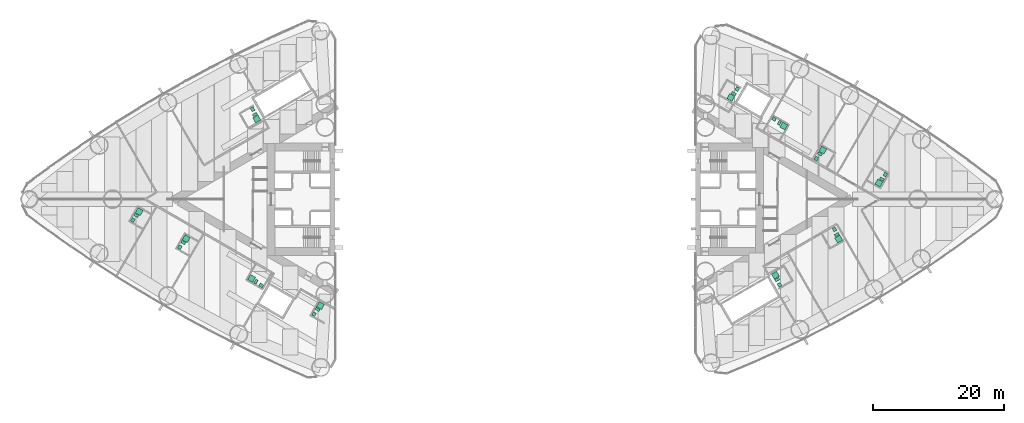
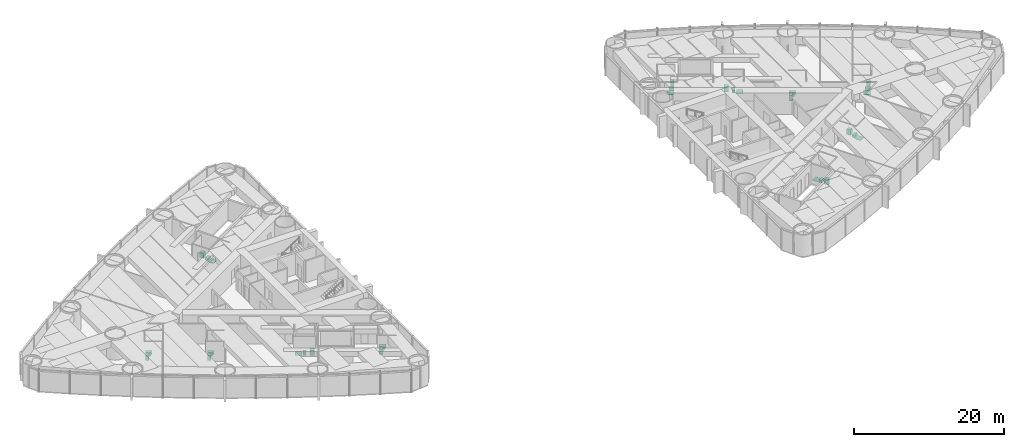
# One storey, part 19 of 19: 15 sanitary terminals.
"""IFC4 building model written with IfcOpenShell, lengths in metres."""

import ifcopenshell
import ifcopenshell.guid

model = None  # the IFC model being written
_history = None  # IfcOwnerHistory: only IFC2X3 demands one
_inside = {}  # id of a spatial element -> (the spatial element, [elements in it])
_under = {}  # id of a project, library or spatial element -> (it, [spatial elements below it])
_declared = {}  # id of a project -> (the project, [libraries it declares])
_typed = {}  # id of a type object -> (the type object, [elements of that type])
_made_of = {}  # id of a material, layer set ... -> (it, [elements and type objects made of it])


def new_model(schema):
    """Start an empty IFC model of exactly this schema.

    Asked for "IFC4X3", IfcOpenShell would pick the latest addendum, in which some entities
    have other attributes; the version numbers below select the first issue.
    IFC2X3 requires an IfcOwnerHistory on every rooted entity: one is made here for all.
    """
    global model, _history
    if schema == "IFC4X3":
        model = ifcopenshell.file(schema_version=(4, 3, 0, 0))
    else:
        model = ifcopenshell.file(schema=schema)
    _inside.clear()
    _under.clear()
    _declared.clear()
    _typed.clear()
    _made_of.clear()
    _history = None
    if model.schema == "IFC2X3":
        org = make("IfcOrganization", Name="unknown")
        user = make(
            "IfcPersonAndOrganization",
            ThePerson=make("IfcPerson", FamilyName="unknown"),
            TheOrganization=org,
        )
        app = make(
            "IfcApplication",
            ApplicationDeveloper=org,
            Version="unknown",
            ApplicationFullName="unknown",
            ApplicationIdentifier="unknown",
        )
        _history = make(
            "IfcOwnerHistory",
            OwningUser=user,
            OwningApplication=app,
            ChangeAction="ADDED",
            CreationDate=0,
        )
    return model


def make(cls, **values):
    """One entity of the class cls with the attributes given. An attribute that is None is left unset."""
    return model.create_entity(
        cls, **{name: value for name, value in values.items() if value is not None}
    )


def rooted(cls, **values):
    """An entity with a GlobalId (a new one), such as an element, a storey or a relation."""
    return make(cls, GlobalId=ifcopenshell.guid.new(), OwnerHistory=_history, **values)


def si_unit(unit_type, name, prefix=None):
    """IfcSIUnit, for example si_unit("LENGTHUNIT", "METRE", prefix="MILLI")."""
    return make("IfcSIUnit", UnitType=unit_type, Prefix=prefix, Name=name)


def assignment(units):
    """IfcUnitAssignment: the units of a project."""
    return None if units is None else make("IfcUnitAssignment", Units=units)


def point(xyz):
    """IfcCartesianPoint."""
    return None if xyz is None else make("IfcCartesianPoint", Coordinates=xyz)


def direction(xyz):
    """IfcDirection."""
    return None if xyz is None else make("IfcDirection", DirectionRatios=xyz)


def frame(location, z_axis=None, x_axis=None):
    """IfcAxis2Placement3D, a coordinate frame: its origin and axes. An axis left out is left unset."""
    return make(
        "IfcAxis2Placement3D",
        Location=point(location),
        Axis=direction(z_axis),
        RefDirection=direction(x_axis),
    )


def frame_2d(location, x_axis=None):
    """IfcAxis2Placement2D, a coordinate frame in the plane: its origin and x axis."""
    return make(
        "IfcAxis2Placement2D", Location=point(location), RefDirection=direction(x_axis)
    )


def origin():
    """The frame at (0, 0, 0) with its axes left unset."""
    return frame((0.0, 0.0, 0.0))


def origin_2d():
    """The frame at (0, 0) in the plane with its x axis left unset."""
    return frame_2d((0.0, 0.0))


def place(relative_to, where):
    """IfcLocalPlacement: puts the frame where relative to a parent placement (None: the world)."""
    return make(
        "IfcLocalPlacement", PlacementRelTo=relative_to, RelativePlacement=where
    )


def context(
    kind, dimensions, precision=None, world=None, true_north=None, identifier=None
):
    """IfcGeometricRepresentationContext, for example the 3D "Model" context."""
    return make(
        "IfcGeometricRepresentationContext",
        ContextIdentifier=identifier,
        ContextType=kind,
        CoordinateSpaceDimension=dimensions,
        Precision=precision,
        WorldCoordinateSystem=world,
        TrueNorth=true_north,
    )


def subcontext(parent, identifier, kind, view, scale=None):
    """IfcGeometricRepresentationSubContext, for example "Body" below "Model"."""
    return make(
        "IfcGeometricRepresentationSubContext",
        ContextIdentifier=identifier,
        ContextType=kind,
        ParentContext=parent,
        TargetScale=scale,
        TargetView=view,
    )


def project(units=None, contexts=None):
    """IfcProject with its units and contexts."""
    return rooted(
        "IfcProject",
        Name="project",
        RepresentationContexts=contexts,
        UnitsInContext=assignment(units),
    )


def spatial(cls, under=None, at=None, **own):
    """A site, building, storey or space (cls), placed at a placement, below another one or the project."""
    s = rooted(cls, ObjectPlacement=at, **own)
    if under is not None:
        _under.setdefault(under.id(), (under, []))[1].append(s)
    return s


def profile(cls, at=None, kind="AREA", **sizes):
    """A parametric profile (cls). Its sizes go by their IFC names, for example OverallWidth=200.0."""
    return make(cls, ProfileType=kind, Position=at, **sizes)


def rectangle(**sizes):
    """IfcRectangleProfileDef."""
    return profile("IfcRectangleProfileDef", **sizes)


def extrude(swept, where, along, depth):
    """IfcExtrudedAreaSolid: the profile swept, set in the frame where, extruded along a direction by depth."""
    return make(
        "IfcExtrudedAreaSolid",
        SweptArea=swept,
        Position=where,
        ExtrudedDirection=direction(along),
        Depth=depth,
    )


def shape(context_of_items, identifier, shape_type, items):
    """IfcShapeRepresentation: the items that make up one representation, for example the "Body"."""
    return make(
        "IfcShapeRepresentation",
        ContextOfItems=context_of_items,
        RepresentationIdentifier=identifier,
        RepresentationType=shape_type,
        Items=items,
    )


def material(Name=None, Category=None):
    """IfcMaterial."""
    return make("IfcMaterial", Name=Name, Category=Category)


def made_of(thing, what):
    """Note that an element or type object is made of a material, layer set ...; save() writes the relation."""
    if what is not None:
        _made_of.setdefault(what.id(), (what, []))[1].append(thing)
    return thing


def type_object(cls, material=None, **own):
    """A type object (cls), such as IfcWallType, which elements share."""
    return made_of(rooted(cls, **own), material)


def element(
    cls,
    number,
    at=None,
    inside=None,
    cuts=None,
    type_object=None,
    material=None,
    context=None,
    identifier="Body",
    shape_type=None,
    held_by="IfcProductDefinitionShape",
    body=None,
    shapes=None,
    **own,
):
    """One element of the class cls, such as IfcWall. Its Tag is "e" and its number.

    at: its placement. inside: the storey or other place that contains it. cuts: it is an
    opening in that element (IfcRelVoidsElement). A single representation is given by context,
    identifier, shape_type and body (its items); several are given by shapes. held_by: the class
    of the entity that holds the representations. save() writes the other relations.
    """
    e = rooted(cls, Tag="e%d" % number, ObjectPlacement=at, **own)
    if body is not None:
        shapes = [shape(context, identifier, shape_type, body)]
    if shapes is not None:
        e.Representation = make(held_by, Representations=shapes)
    if inside is not None:
        _inside.setdefault(inside.id(), (inside, []))[1].append(e)
    if cuts is not None:
        rooted(
            "IfcRelVoidsElement", RelatingBuildingElement=cuts, RelatedOpeningElement=e
        )
    if type_object is not None:
        _typed.setdefault(type_object.id(), (type_object, []))[1].append(e)
    return made_of(e, material)


def aggregate(whole, parts):
    """IfcRelAggregates: a whole, such as a stair, and the parts it consists of."""
    return rooted("IfcRelAggregates", RelatingObject=whole, RelatedObjects=parts)


def save(model, path):
    """Write the relations noted so far, then the file.

    IfcRelAggregates (storeys below a building ...), IfcRelContainedInSpatialStructure (elements
    in a storey), IfcRelDefinesByType, IfcRelAssociatesMaterial and IfcRelDeclares: one each for
    every whole, place, type object, material and project.
    """
    for whole, parts in _under.values():
        aggregate(whole, parts)
    for where, things in _inside.values():
        rooted(
            "IfcRelContainedInSpatialStructure",
            RelatedElements=things,
            RelatingStructure=where,
        )
    for kind, things in _typed.values():
        rooted("IfcRelDefinesByType", RelatedObjects=things, RelatingType=kind)
    for what, things in _made_of.values():
        rooted("IfcRelAssociatesMaterial", RelatedObjects=things, RelatingMaterial=what)
    for by, libraries in _declared.values():
        rooted("IfcRelDeclares", RelatingContext=by, RelatedDefinitions=libraries)
    model.write(path)


model = new_model("IFC4")

# Units and contexts
model_context = context("Model", 3, precision=1e-05, world=origin(), true_north=direction((0.0, 1.0)))
body_context = subcontext(model_context, "Body", "Model", "MODEL_VIEW")
ifc_project = project(units=[si_unit("LENGTHUNIT", "METRE"), si_unit("AREAUNIT", "SQUARE_METRE"), si_unit("VOLUMEUNIT", "CUBIC_METRE"), si_unit("PLANEANGLEUNIT", "RADIAN"), si_unit("MASSUNIT", "GRAM", prefix="KILO")], contexts=[model_context])

# Site, building, storey
site_placement = place(None, origin())
site = spatial("IfcSite", under=ifc_project, at=site_placement, CompositionType="ELEMENT")
building_placement = place(site_placement, origin())
building = spatial("IfcBuilding", under=site, at=building_placement, Name="Lancet Gate Hotel", CompositionType="ELEMENT")
storey_placement = place(building_placement, frame((0.0, 0.0, 70.5)))
storey = spatial("IfcBuildingStorey", under=building, at=storey_placement, Name="L18", CompositionType="ELEMENT", Elevation=70.5)

# Sanitary terminals
ifc_material_1 = material(Name="Vitreous china sanitary ware")
sanitary_terminal_type_1 = type_object("IfcSanitaryTerminalType", Name="En-suite sanitary set (shower, WC, basin)", PredefinedType="USERDEFINED", material=ifc_material_1)
sanitary_terminal_1_placement = place(storey_placement, frame((-57.430908203125, -1.89208984375, 0.0), z_axis=(0.0, 0.0, 1.0), x_axis=(1.0, 0.0, 0.0)))
element("IfcSanitaryTerminal", 1, at=sanitary_terminal_1_placement, inside=storey, type_object=sanitary_terminal_type_1, Name="En-suite sanitary set (shower, WC, basin) 1805", ObjectType="EN-SUITE SANITARY SET", PredefinedType="USERDEFINED", context=body_context, shape_type="SweptSolid", body=[
    extrude(rectangle(XDim=0.89990234375, YDim=0.89990234375, at=origin_2d()), frame((0.0, 0.0, 0.0), z_axis=(0.0, 0.0, 1.0), x_axis=(0.5, 0.866025403784, 0.0)), (0.0, 0.0, 1.0), 0.050048828125),
    extrude(rectangle(XDim=0.39990234375, YDim=0.699951171875, at=origin_2d()), frame((-0.451416015625, -0.582275390625, 0.0), z_axis=(0.0, 0.0, 1.0), x_axis=(0.5, 0.866025403784, 0.0)), (0.0, 0.0, 1.0), 0.39990234375),
    extrude(rectangle(XDim=0.60009765625, YDim=0.5, at=origin_2d()), frame((-0.97802734375, -1.29443359375, 0.0), z_axis=(0.0, 0.0, 1.0), x_axis=(0.5, 0.866025403784, 0.0)), (0.0, 0.0, 1.0), 0.85009765625),
])
sanitary_terminal_2_placement = place(storey_placement, frame((-50.26171875, -6.031494140625, 0.0), z_axis=(0.0, 0.0, 1.0), x_axis=(1.0, 0.0, 0.0)))
element("IfcSanitaryTerminal", 2, at=sanitary_terminal_2_placement, inside=storey, type_object=sanitary_terminal_type_1, Name="En-suite sanitary set (shower, WC, basin) 1806", ObjectType="EN-SUITE SANITARY SET", PredefinedType="USERDEFINED", context=body_context, shape_type="SweptSolid", body=[
    extrude(rectangle(XDim=0.89990234375, YDim=0.89990234375, at=origin_2d()), frame((0.0, 0.0, 0.0), z_axis=(0.0, 0.0, 1.0), x_axis=(0.5, 0.866025403784, 0.0)), (0.0, 0.0, 1.0), 0.050048828125),
    extrude(rectangle(XDim=0.39990234375, YDim=0.699951171875, at=origin_2d()), frame((-0.451416015625, -0.58203125, 0.0), z_axis=(0.0, 0.0, 1.0), x_axis=(0.5, 0.866025403784, 0.0)), (0.0, 0.0, 1.0), 0.39990234375),
    extrude(rectangle(XDim=0.60009765625, YDim=0.5, at=origin_2d()), frame((-0.97802734375, -1.294189453125, 0.0), z_axis=(0.0, 0.0, 1.0), x_axis=(0.5, 0.866025403784, 0.0)), (0.0, 0.0, 1.0), 0.85009765625),
])
sanitary_terminal_3_placement = place(storey_placement, frame((-39.488525390625, 12.251220703125, 0.0), z_axis=(0.0, 0.0, 1.0), x_axis=(1.0, 0.0, 0.0)))
element("IfcSanitaryTerminal", 3, at=sanitary_terminal_3_placement, inside=storey, type_object=sanitary_terminal_type_1, Name="En-suite sanitary set (shower, WC, basin) 1802", ObjectType="EN-SUITE SANITARY SET", PredefinedType="USERDEFINED", context=body_context, shape_type="SweptSolid", body=[
    extrude(rectangle(XDim=0.89990234375, YDim=0.89990234375, at=origin_2d()), frame((0.0, 0.0, 0.0), z_axis=(0.0, 0.0, 1.0), x_axis=(0.5, -0.866025403784, 0.0)), (0.0, 0.0, 1.0), 0.050048828125),
    extrude(rectangle(XDim=0.39990234375, YDim=0.699951171875, at=origin_2d()), frame((-0.2783203125, 0.68212890625, 0.0), z_axis=(0.0, 0.0, 1.0), x_axis=(0.5, -0.866025403784, 0.0)), (0.0, 0.0, 1.0), 0.39990234375),
    extrude(rectangle(XDim=0.60009765625, YDim=0.5, at=origin_2d()), frame((-0.6318359375, 1.494384765625, 0.0), z_axis=(0.0, 0.0, 1.0), x_axis=(0.5, -0.866025403784, 0.0)), (0.0, 0.0, 1.0), 0.85009765625),
])
sanitary_terminal_4_placement = place(storey_placement, frame((-29.751708984375, -16.256103515625, 0.0), z_axis=(0.0, 0.0, 1.0), x_axis=(1.0, 0.0, 0.0)))
element("IfcSanitaryTerminal", 4, at=sanitary_terminal_4_placement, inside=storey, type_object=sanitary_terminal_type_1, Name="En-suite sanitary set (shower, WC, basin) 1808", ObjectType="EN-SUITE SANITARY SET", PredefinedType="USERDEFINED", context=body_context, shape_type="SweptSolid", body=[
    extrude(rectangle(XDim=0.89990234375, YDim=0.89990234375, at=origin_2d()), frame((0.0, 0.0, 0.0), z_axis=(0.0, 0.0, 1.0), x_axis=(0.5, 0.866025403784, 0.0)), (0.0, 0.0, 1.0), 0.050048828125),
    extrude(rectangle(XDim=0.39990234375, YDim=0.699951171875, at=origin_2d()), frame((-0.45166015625, -0.582275390625, 0.0), z_axis=(0.0, 0.0, 1.0), x_axis=(0.5, 0.866025403784, 0.0)), (0.0, 0.0, 1.0), 0.39990234375),
    extrude(rectangle(XDim=0.60009765625, YDim=0.5, at=origin_2d()), frame((-0.978271484375, -1.29443359375, 0.0), z_axis=(0.0, 0.0, 1.0), x_axis=(0.5, 0.866025403784, 0.0)), (0.0, 0.0, 1.0), 0.85009765625),
])
sanitary_terminal_5_placement = place(storey_placement, frame((49.3994140625, -6.098388671875, 0.0), z_axis=(0.0, 0.0, 1.0), x_axis=(1.0, 0.0, 0.0)))
element("IfcSanitaryTerminal", 5, at=sanitary_terminal_5_placement, inside=storey, type_object=sanitary_terminal_type_1, Name="En-suite sanitary set (shower, WC, basin) 1854", ObjectType="EN-SUITE SANITARY SET", PredefinedType="USERDEFINED", context=body_context, shape_type="SweptSolid", body=[
    extrude(rectangle(XDim=0.89990234375, YDim=0.89990234375, at=origin_2d()), frame((0.0, 0.0, 0.0), z_axis=(0.0, 0.0, 1.0), x_axis=(0.5, -0.866025403784, 0.0)), (0.0, 0.0, 1.0), 0.050048828125),
    extrude(rectangle(XDim=0.39990234375, YDim=0.699951171875, at=origin_2d()), frame((-0.2783203125, 0.68212890625, 0.0), z_axis=(0.0, 0.0, 1.0), x_axis=(0.5, -0.866025403784, 0.0)), (0.0, 0.0, 1.0), 0.39990234375),
    extrude(rectangle(XDim=0.60009765625, YDim=0.5, at=origin_2d()), frame((-0.6318359375, 1.494384765625, 0.0), z_axis=(0.0, 0.0, 1.0), x_axis=(0.5, -0.866025403784, 0.0)), (0.0, 0.0, 1.0), 0.85009765625),
])
sanitary_terminal_6_placement = place(storey_placement, frame((55.549560546875, 2.478515625, 0.0), z_axis=(0.0, 0.0, 1.0), x_axis=(1.0, 0.0, 0.0)))
element("IfcSanitaryTerminal", 6, at=sanitary_terminal_6_placement, inside=storey, type_object=sanitary_terminal_type_1, Name="En-suite sanitary set (shower, WC, basin) 1858", ObjectType="EN-SUITE SANITARY SET", PredefinedType="USERDEFINED", context=body_context, shape_type="SweptSolid", body=[
    extrude(rectangle(XDim=0.89990234375, YDim=0.89990234375, at=origin_2d()), frame((0.0, 0.0, 0.0), z_axis=(0.0, 0.0, 1.0), x_axis=(-0.5, -0.866025403784, 0.0)), (0.0, 0.0, 1.0), 0.050048828125),
    extrude(rectangle(XDim=0.39990234375, YDim=0.699951171875, at=origin_2d()), frame((0.45166015625, 0.58203125, 0.0), z_axis=(0.0, 0.0, 1.0), x_axis=(-0.5, -0.866025403784, 0.0)), (0.0, 0.0, 1.0), 0.39990234375),
    extrude(rectangle(XDim=0.60009765625, YDim=0.5, at=origin_2d()), frame((0.97802734375, 1.294189453125, 0.0), z_axis=(0.0, 0.0, 1.0), x_axis=(-0.5, -0.866025403784, 0.0)), (0.0, 0.0, 1.0), 0.85009765625),
])
sanitary_terminal_7_placement = place(storey_placement, frame((46.9765625, 7.497314453125, 0.0), z_axis=(0.0, 0.0, 1.0), x_axis=(1.0, 0.0, 0.0)))
element("IfcSanitaryTerminal", 7, at=sanitary_terminal_7_placement, inside=storey, type_object=sanitary_terminal_type_1, Name="En-suite sanitary set (shower, WC, basin) 1860", ObjectType="EN-SUITE SANITARY SET", PredefinedType="USERDEFINED", context=body_context, shape_type="SweptSolid", body=[
    extrude(rectangle(XDim=0.89990234375, YDim=0.89990234375, at=origin_2d()), frame((0.0, 0.0, 0.0), z_axis=(0.0, 0.0, 1.0), x_axis=(0.5, 0.866025403784, 0.0)), (0.0, 0.0, 1.0), 0.050048828125),
    extrude(rectangle(XDim=0.39990234375, YDim=0.699951171875, at=origin_2d()), frame((-0.45166015625, -0.582275390625, 0.0), z_axis=(0.0, 0.0, 1.0), x_axis=(0.5, 0.866025403784, 0.0)), (0.0, 0.0, 1.0), 0.39990234375),
    extrude(rectangle(XDim=0.60009765625, YDim=0.5, at=origin_2d()), frame((-0.978271484375, -1.29443359375, 0.0), z_axis=(0.0, 0.0, 1.0), x_axis=(0.5, 0.866025403784, 0.0)), (0.0, 0.0, 1.0), 0.85009765625),
])
sanitary_terminal_8_placement = place(storey_placement, frame((39.74853515625, -11.60107421875, 0.0), z_axis=(0.0, 0.0, 1.0), x_axis=(1.0, 0.0, 0.0)))
element("IfcSanitaryTerminal", 8, at=sanitary_terminal_8_placement, inside=storey, type_object=sanitary_terminal_type_1, Name="En-suite sanitary set (shower, WC, basin) 1853", ObjectType="EN-SUITE SANITARY SET", PredefinedType="USERDEFINED", context=body_context, shape_type="SweptSolid", body=[
    extrude(rectangle(XDim=0.89990234375, YDim=0.89990234375, at=origin_2d()), frame((0.0, 0.0, 0.0), z_axis=(0.0, 0.0, 1.0), x_axis=(-0.5, 0.866025403784, 0.0)), (0.0, 0.0, 1.0), 0.050048828125),
    extrude(rectangle(XDim=0.39990234375, YDim=0.699951171875, at=origin_2d()), frame((0.2783203125, -0.68212890625, 0.0), z_axis=(0.0, 0.0, 1.0), x_axis=(-0.5, 0.866025403784, 0.0)), (0.0, 0.0, 1.0), 0.39990234375),
    extrude(rectangle(XDim=0.60009765625, YDim=0.5, at=origin_2d()), frame((0.6318359375, -1.494384765625, 0.0), z_axis=(0.0, 0.0, 1.0), x_axis=(-0.5, 0.866025403784, 0.0)), (0.0, 0.0, 1.0), 0.85009765625),
])
sanitary_terminal_9_placement = place(storey_placement, frame((32.923828125, 15.541259765625, 0.0), z_axis=(0.0, 0.0, 1.0), x_axis=(1.0, 0.0, 0.0)))
element("IfcSanitaryTerminal", 9, at=sanitary_terminal_9_placement, inside=storey, type_object=sanitary_terminal_type_1, Name="En-suite sanitary set (shower, WC, basin) 1863", ObjectType="EN-SUITE SANITARY SET", PredefinedType="USERDEFINED", context=body_context, shape_type="SweptSolid", body=[
    extrude(rectangle(XDim=0.89990234375, YDim=0.89990234375, at=origin_2d()), frame((0.0, 0.0, 0.0), z_axis=(0.0, 0.0, 1.0), x_axis=(-0.5, -0.866025403784, 0.0)), (0.0, 0.0, 1.0), 0.050048828125),
    extrude(rectangle(XDim=0.39990234375, YDim=0.699951171875, at=origin_2d()), frame((0.45166015625, 0.582275390625, 0.0), z_axis=(0.0, 0.0, 1.0), x_axis=(-0.5, -0.866025403784, 0.0)), (0.0, 0.0, 1.0), 0.39990234375),
    extrude(rectangle(XDim=0.60009765625, YDim=0.5, at=origin_2d()), frame((0.978271484375, 1.29443359375, 0.0), z_axis=(0.0, 0.0, 1.0), x_axis=(-0.5, -0.866025403784, 0.0)), (0.0, 0.0, 1.0), 0.85009765625),
])
ifc_material_2 = material(Name="Stone resin shower tray", Category="masonry")
sanitary_terminal_type_2 = type_object("IfcSanitaryTerminalType", Name="Shower tray 900", PredefinedType="SHOWER", material=ifc_material_2)
for number, where, z_axis, x_axis, name in (
    (10, (-40.2763671875, -12.0966796875, 0.0), (0.0, 0.0, 1.0), (-0.866025403784, 0.5, 0.0), "Shower tray 900 1807"),
    (11, (41.00634765625, 11.175048828125, 0.0), (0.0, 0.0, 1.0), (0.866025403784, -0.5, 0.0), "Shower tray 900 1861"),
):
    element("IfcSanitaryTerminal", number, at=place(storey_placement, frame(where, z_axis=z_axis, x_axis=x_axis)), inside=storey, type_object=sanitary_terminal_type_2, Name=name, PredefinedType="SHOWER", context=body_context, shape_type="SweptSolid", body=[
        extrude(rectangle(XDim=0.89990234375, YDim=0.89990234375, at=origin_2d()), origin(), (0.0, 0.0, 1.0), 0.050048828125),
    ])
ifc_material_3 = material(Name="Vitreous china sanitary ware")
sanitary_terminal_type_3 = type_object("IfcSanitaryTerminalType", Name="Vanity basin 600", PredefinedType="WASHHANDBASIN", material=ifc_material_3)
for number, where, z_axis, x_axis, name in (
    (12, (-38.808837890625, -13.1748046875, 0.0), (0.0, 0.0, 1.0), (-0.866025403784, 0.5, 0.0), "Vanity basin 600 1807"),
    (13, (39.538818359375, 12.25341796875, 0.0), (0.0, 0.0, 1.0), (0.866025403784, -0.5, 0.0), "Vanity basin 600 1861"),
):
    element("IfcSanitaryTerminal", number, at=place(storey_placement, frame(where, z_axis=z_axis, x_axis=x_axis)), inside=storey, type_object=sanitary_terminal_type_3, Name=name, PredefinedType="WASHHANDBASIN", context=body_context, shape_type="SweptSolid", body=[
        extrude(rectangle(XDim=0.60009765625, YDim=0.5, at=origin_2d()), origin(), (0.0, 0.0, 1.0), 0.85009765625),
    ])
ifc_material_4 = material(Name="Vitreous china sanitary ware")
sanitary_terminal_type_4 = type_object("IfcSanitaryTerminalType", Name="WC pan wall hung", PredefinedType="TOILETPAN", material=ifc_material_4)
for number, where, z_axis, x_axis, name in (
    (14, (-39.607421875, -12.59814453125, 0.0), (0.0, 0.0, 1.0), (-0.866025403784, 0.5, 0.0), "WC pan wall hung 1807"),
    (15, (40.337646484375, 11.6767578125, 0.0), (0.0, 0.0, 1.0), (0.866025403784, -0.5, 0.0), "WC pan wall hung 1861"),
):
    element("IfcSanitaryTerminal", number, at=place(storey_placement, frame(where, z_axis=z_axis, x_axis=x_axis)), inside=storey, type_object=sanitary_terminal_type_4, Name=name, PredefinedType="TOILETPAN", context=body_context, shape_type="SweptSolid", body=[
        extrude(rectangle(XDim=0.39990234375, YDim=0.699951171875, at=origin_2d()), origin(), (0.0, 0.0, 1.0), 0.39990234375),
    ])

save(model, "model.ifc")
